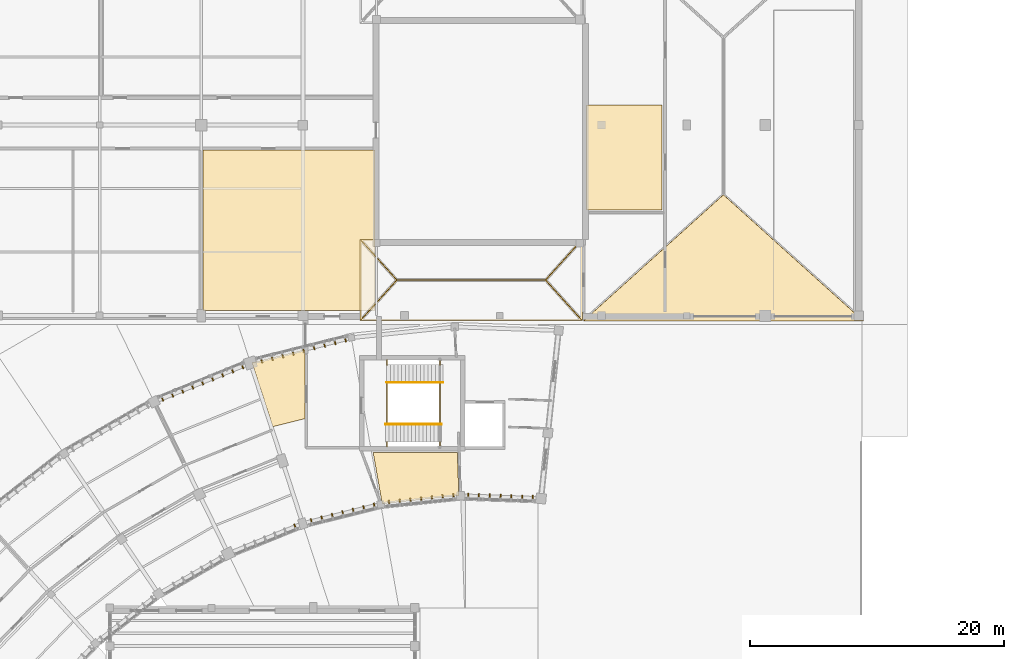
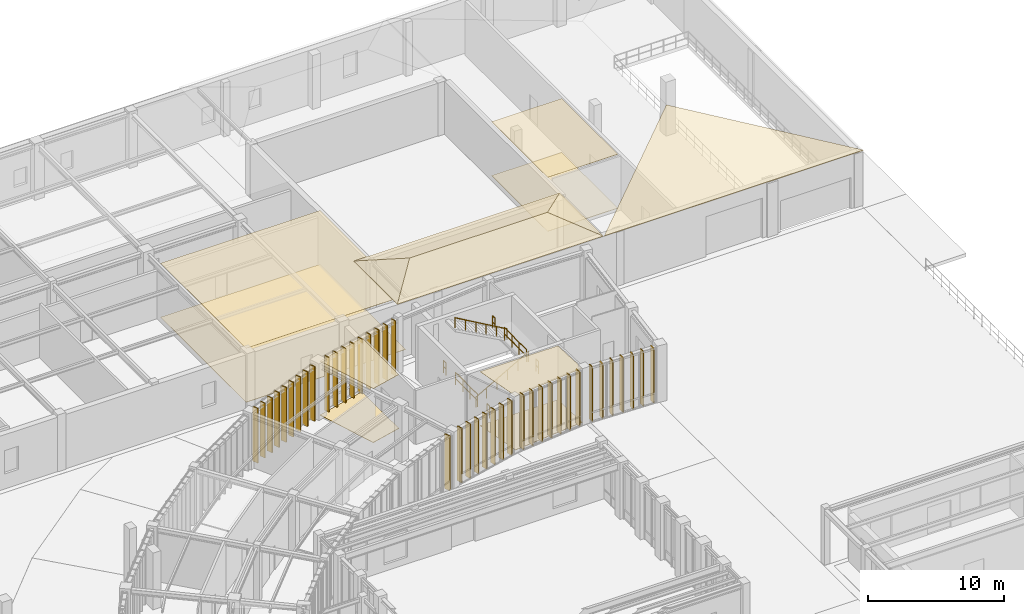
# One storey, part 65 of 68: 53 coverings, 8 railings.
"""IFC4 building model written with IfcOpenShell, lengths in metres."""

from ifc_helpers import new_model, si_unit, direction, frame, origin, origin_2d, place, context, subcontext, project, spatial, polyline, rectangle, circle, outline, extrude, material, layer, layer_set, type_object, element, save


model = new_model("IFC4")

# Units and contexts
model_context = context("Model", 3, precision=1e-05, world=origin(), true_north=direction((0.0, 1.0)))
body_context = subcontext(model_context, "Body", "Model", "MODEL_VIEW")
ifc_project = project(units=[si_unit("LENGTHUNIT", "METRE"), si_unit("AREAUNIT", "SQUARE_METRE"), si_unit("VOLUMEUNIT", "CUBIC_METRE"), si_unit("PLANEANGLEUNIT", "RADIAN"), si_unit("MASSUNIT", "GRAM", prefix="KILO"), si_unit("THERMODYNAMICTEMPERATUREUNIT", "KELVIN"), si_unit("POWERUNIT", "WATT")], contexts=[model_context])

# Site, building, storey
site_placement = place(None, origin())
site = spatial("IfcSite", under=ifc_project, at=site_placement, CompositionType="ELEMENT")
building_placement = place(site_placement, origin())
building = spatial("IfcBuilding", under=site, at=building_placement, Name="Solvatero Civic Police Headquarters", CompositionType="ELEMENT")
storey_placement = place(building_placement, origin())
storey = spatial("IfcBuildingStorey", under=building, at=storey_placement, Name="L00", CompositionType="ELEMENT", Elevation=0.0)

# Coverings
ifc_material_1 = material(Name="Mineral-Fibre Acoustic Tile", Category="gypsum")
ifc_layer_1 = layer(ifc_material_1, 0.02490234375)
ifc_layer_set_1 = layer_set([ifc_layer_1], Name="Mineral-Fibre Acoustic Tile")
covering_type_1 = type_object("IfcCoveringType", Name="COV-CEIL-AC", PredefinedType="CEILING", material=ifc_layer_set_1)
covering_1_placement = place(storey_placement, frame((0.0, 0.0, 4.85498046875)))
element("IfcCovering", 1, at=covering_1_placement, inside=storey, type_object=covering_type_1, Name="Acoustic Ceiling Custody Sergeant Booking and Biometrics Desk", PredefinedType="CEILING", context=body_context, shape_type="SweptSolid", body=[
    extrude(outline(polyline([(85.679931640625, 85.919921875), (72.1201171875, 85.919921875), (72.1201171875, 98.530029296875), (85.679931640625, 98.530029296875), (85.679931640625, 85.919921875)])), origin(), (0.0, 0.0, 1.0), 0.02490234375),
])
covering_2_placement = place(storey_placement, frame((0.0, 0.0, 4.85498046875)))
element("IfcCovering", 2, at=covering_2_placement, inside=storey, type_object=covering_type_1, Name="Acoustic Ceiling Detainee Personal Property Seal Store", PredefinedType="CEILING", context=body_context, shape_type="SweptSolid", body=[
    extrude(outline(polyline([(108.280029296875, 102.080078125), (108.280029296875, 93.820068359375), (102.320068359375, 93.820068359375), (102.320068359375, 102.080078125), (108.280029296875, 102.080078125)])), origin(), (0.0, 0.0, 1.0), 0.02490234375),
])
covering_3_placement = place(storey_placement, frame((0.0, 0.0, 4.85498046875)))
element("IfcCovering", 3, at=covering_3_placement, inside=storey, type_object=covering_type_1, Name="Acoustic Ceiling Public Inquiry Reception Bay 2", PredefinedType="CEILING", context=body_context, shape_type="SweptSolid", body=[
    extrude(outline(polyline([(86.2412109375, 70.693603515625), (85.529296875, 74.72998046875), (92.158203125, 74.72998046875), (92.277099609375, 71.327880859375), (86.2412109375, 70.693603515625)])), origin(), (0.0, 0.0, 1.0), 0.02490234375),
])
covering_4_placement = place(storey_placement, frame((0.0, 0.0, 4.85498046875)))
element("IfcCovering", 4, at=covering_4_placement, inside=storey, type_object=covering_type_1, Name="Acoustic Ceiling Patrol Sector Dispatch Office Bay 3", PredefinedType="CEILING", context=body_context, shape_type="SweptSolid", body=[
    extrude(outline(polyline([(77.633544921875, 76.7587890625), (75.999267578125, 81.789306640625), (80.179931640625, 82.831787109375), (80.179931640625, 77.3935546875), (77.633544921875, 76.7587890625)])), origin(), (0.0, 0.0, 1.0), 0.02490234375),
])
ifc_material_2 = material(Name="Anodized Bronze Aluminium", Category="aluminium")
ifc_layer_2 = layer(ifc_material_2, 0.080078125)
ifc_layer_set_2 = layer_set([ifc_layer_2], Name="Anodized Bronze Aluminium")
covering_type_2 = type_object("IfcCoveringType", Name="COV-FIN-480", PredefinedType="CLADDING", material=ifc_layer_set_2)
for number, where, z_axis, x_axis, name in (
    (5, (98.10009765625, 71.1044921875, -0.02001953125), (0.0, 0.0, 1.0), (-0.999390827019, 0.034899496703, 0.0), "Vertical Brise-Soleil Fin 0001"),
    (6, (97.250732421875, 71.134033203125, -0.02001953125), (0.0, 0.0, 1.0), (-0.999390827019, 0.034899496703, 0.0), "Vertical Brise-Soleil Fin 0002"),
    (7, (96.401123046875, 71.163818359375, -0.02001953125), (0.0, 0.0, 1.0), (-0.999390827019, 0.034899496703, 0.0), "Vertical Brise-Soleil Fin 0003"),
    (8, (95.5517578125, 71.193603515625, -0.02001953125), (0.0, 0.0, 1.0), (-0.999390827019, 0.034899496703, 0.0), "Vertical Brise-Soleil Fin 0004"),
    (9, (94.7021484375, 71.22314453125, -0.02001953125), (0.0, 0.0, 1.0), (-0.999390827019, 0.034899496703, 0.0), "Vertical Brise-Soleil Fin 0005"),
    (10, (93.852783203125, 71.252685546875, -0.02001953125), (0.0, 0.0, 1.0), (-0.999390827019, 0.034899496703, 0.0), "Vertical Brise-Soleil Fin 0006"),
    (11, (93.00341796875, 71.282470703125, -0.02001953125), (0.0, 0.0, 1.0), (-0.999390827019, 0.034899496703, 0.0), "Vertical Brise-Soleil Fin 0007"),
    (12, (91.857421875, 71.243896484375, -0.02001953125), (0.0, 0.0, 1.0), (-0.994523719583, -0.10451110557, 0.0), "Vertical Brise-Soleil Fin 0008"),
    (13, (91.01220703125, 71.155029296875, -0.02001953125), (0.0, 0.0, 1.0), (-0.994523719583, -0.10451110557, 0.0), "Vertical Brise-Soleil Fin 0009"),
    (14, (90.166748046875, 71.066162109375, -0.02001953125), (0.0, 0.0, 1.0), (-0.994523719583, -0.10451110557, 0.0), "Vertical Brise-Soleil Fin 0010"),
    (15, (89.3212890625, 70.977294921875, -0.02001953125), (0.0, 0.0, 1.0), (-0.994523719583, -0.10451110557, 0.0), "Vertical Brise-Soleil Fin 0011"),
    (16, (88.47607421875, 70.888427734375, -0.02001953125), (0.0, 0.0, 1.0), (-0.994523719583, -0.10451110557, 0.0), "Vertical Brise-Soleil Fin 0012"),
    (17, (87.630615234375, 70.7998046875, -0.02001953125), (0.0, 0.0, 1.0), (-0.994523719583, -0.10451110557, 0.0), "Vertical Brise-Soleil Fin 0013"),
    (18, (86.785400390625, 70.710693359375, -0.02001953125), (0.0, 0.0, 1.0), (-0.994523719583, -0.10451110557, 0.0), "Vertical Brise-Soleil Fin 0014"),
    (19, (83.335205078125, 83.6591796875, -0.02001953125), (0.0, 0.0, 1.0), (-0.970295726276, -0.2419218956, 0.0), "Vertical Brise-Soleil Fin 0015"),
    (20, (82.510498046875, 83.45361328125, -0.02001953125), (0.0, 0.0, 1.0), (-0.970295726276, -0.2419218956, 0.0), "Vertical Brise-Soleil Fin 0016"),
    (21, (81.685791015625, 83.248046875, -0.02001953125), (0.0, 0.0, 1.0), (-0.970295726276, -0.2419218956, 0.0), "Vertical Brise-Soleil Fin 0017"),
    (22, (80.861083984375, 83.042236328125, -0.02001953125), (0.0, 0.0, 1.0), (-0.970295726276, -0.2419218956, 0.0), "Vertical Brise-Soleil Fin 0018"),
    (23, (80.036376953125, 82.836669921875, -0.02001953125), (0.0, 0.0, 1.0), (-0.970295726276, -0.2419218956, 0.0), "Vertical Brise-Soleil Fin 0019"),
    (24, (79.211669921875, 82.631103515625, -0.02001953125), (0.0, 0.0, 1.0), (-0.970295726276, -0.2419218956, 0.0), "Vertical Brise-Soleil Fin 0020"),
    (25, (78.38671875, 82.42529296875, -0.02001953125), (0.0, 0.0, 1.0), (-0.970295726276, -0.2419218956, 0.0), "Vertical Brise-Soleil Fin 0021"),
    (26, (77.56201171875, 82.2197265625, -0.02001953125), (0.0, 0.0, 1.0), (-0.970295726276, -0.2419218956, 0.0), "Vertical Brise-Soleil Fin 0022"),
    (27, (76.7373046875, 82.01416015625, -0.02001953125), (0.0, 0.0, 1.0), (-0.970295726276, -0.2419218956, 0.0), "Vertical Brise-Soleil Fin 0023"),
    (28, (85.630126953125, 70.517578125, -0.02001953125), (0.0, 0.0, 1.0), (-0.970295726276, -0.2419218956, 0.0), "Vertical Brise-Soleil Fin 0024"),
    (29, (84.805419921875, 70.31201171875, -0.02001953125), (0.0, 0.0, 1.0), (-0.970295726276, -0.2419218956, 0.0), "Vertical Brise-Soleil Fin 0025"),
    (30, (83.980712890625, 70.106201171875, -0.02001953125), (0.0, 0.0, 1.0), (-0.970295726276, -0.2419218956, 0.0), "Vertical Brise-Soleil Fin 0026"),
    (31, (83.156005859375, 69.900634765625, -0.02001953125), (0.0, 0.0, 1.0), (-0.970295726276, -0.2419218956, 0.0), "Vertical Brise-Soleil Fin 0027"),
    (32, (82.3310546875, 69.695068359375, -0.02001953125), (0.0, 0.0, 1.0), (-0.970295726276, -0.2419218956, 0.0), "Vertical Brise-Soleil Fin 0028"),
    (33, (81.50634765625, 69.489501953125, -0.02001953125), (0.0, 0.0, 1.0), (-0.970295726276, -0.2419218956, 0.0), "Vertical Brise-Soleil Fin 0029"),
    (34, (80.681640625, 69.28369140625, -0.02001953125), (0.0, 0.0, 1.0), (-0.970295726276, -0.2419218956, 0.0), "Vertical Brise-Soleil Fin 0030"),
    (35, (75.22900390625, 81.5390625, -0.02001953125), (0.0, 0.0, 1.0), (-0.927183854567, -0.374606593416, 0.0), "Vertical Brise-Soleil Fin 0031"),
    (36, (74.44091796875, 81.220703125, -0.02001953125), (0.0, 0.0, 1.0), (-0.927183854567, -0.374606593416, 0.0), "Vertical Brise-Soleil Fin 0032"),
    (37, (73.65283203125, 80.902099609375, -0.02001953125), (0.0, 0.0, 1.0), (-0.927183854567, -0.374606593416, 0.0), "Vertical Brise-Soleil Fin 0033"),
    (38, (72.86474609375, 80.583740234375, -0.02001953125), (0.0, 0.0, 1.0), (-0.927183854567, -0.374606593416, 0.0), "Vertical Brise-Soleil Fin 0034"),
    (39, (72.07666015625, 80.265380859375, -0.02001953125), (0.0, 0.0, 1.0), (-0.927183854567, -0.374606593416, 0.0), "Vertical Brise-Soleil Fin 0035"),
    (40, (71.28857421875, 79.947021484375, -0.02001953125), (0.0, 0.0, 1.0), (-0.927183854567, -0.374606593416, 0.0), "Vertical Brise-Soleil Fin 0036"),
    (41, (70.50048828125, 79.628662109375, -0.02001953125), (0.0, 0.0, 1.0), (-0.927183854567, -0.374606593416, 0.0), "Vertical Brise-Soleil Fin 0037"),
    (42, (69.71240234375, 79.310302734375, -0.02001953125), (0.0, 0.0, 1.0), (-0.927183854567, -0.374606593416, 0.0), "Vertical Brise-Soleil Fin 0038"),
    (43, (68.92431640625, 78.99169921875, -0.02001953125), (0.0, 0.0, 1.0), (-0.927183854567, -0.374606593416, 0.0), "Vertical Brise-Soleil Fin 0039"),
    (44, (79.39990234375, 68.872802734375, -0.02001953125), (0.0, 0.0, 1.0), (-0.927183854567, -0.374606593416, 0.0), "Vertical Brise-Soleil Fin 0040"),
):
    element("IfcCovering", number, at=place(storey_placement, frame(where, z_axis=z_axis, x_axis=x_axis)), inside=storey, type_object=covering_type_2, Name=name, PredefinedType="CLADDING", context=body_context, shape_type="SweptSolid", body=[
        extrude(rectangle(XDim=0.080078125, YDim=0.47998046875, at=origin_2d()), origin(), (0.0, 0.0, 1.0), 4.919921875),
    ])
ifc_material_3 = material(Name="Venetian Terrazzo Stone", Category="masonry")
ifc_layer_3 = layer(ifc_material_3, 0.034912109375)
ifc_layer_set_3 = layer_set([ifc_layer_3], Name="Venetian Terrazzo Stone")
covering_type_3 = type_object("IfcCoveringType", Name="COV-FLR-TER", PredefinedType="FLOORING", material=ifc_layer_set_3)
covering_5_placement = place(storey_placement, origin())
element("IfcCovering", 45, at=covering_5_placement, inside=storey, type_object=covering_type_3, Name="Flooring Custody Sergeant Booking and Biometrics Desk", PredefinedType="FLOORING", context=body_context, shape_type="SweptSolid", body=[
    extrude(outline(polyline([(85.679931640625, 85.919921875), (72.1201171875, 85.919921875), (72.1201171875, 98.530029296875), (85.679931640625, 98.530029296875), (85.679931640625, 85.919921875)])), origin(), (0.0, 0.0, 1.0), 0.034912109375),
])
covering_6_placement = place(storey_placement, origin())
element("IfcCovering", 46, at=covering_6_placement, inside=storey, type_object=covering_type_3, Name="Flooring Detainee Personal Property Seal Store", PredefinedType="FLOORING", context=body_context, shape_type="SweptSolid", body=[
    extrude(outline(polyline([(108.280029296875, 102.080078125), (108.280029296875, 93.820068359375), (102.320068359375, 93.820068359375), (102.320068359375, 102.080078125), (108.280029296875, 102.080078125)])), origin(), (0.0, 0.0, 1.0), 0.034912109375),
])
covering_7_placement = place(storey_placement, origin())
element("IfcCovering", 47, at=covering_7_placement, inside=storey, type_object=covering_type_3, Name="Flooring Public Inquiry Reception Bay 2", PredefinedType="FLOORING", context=body_context, shape_type="SweptSolid", body=[
    extrude(outline(polyline([(86.2412109375, 70.693603515625), (85.529296875, 74.72998046875), (92.158203125, 74.72998046875), (92.277099609375, 71.327880859375), (86.2412109375, 70.693603515625)])), origin(), (0.0, 0.0, 1.0), 0.034912109375),
])
covering_8_placement = place(storey_placement, origin())
element("IfcCovering", 48, at=covering_8_placement, inside=storey, type_object=covering_type_3, Name="Flooring Patrol Sector Dispatch Office Bay 3", PredefinedType="FLOORING", context=body_context, shape_type="SweptSolid", body=[
    extrude(outline(polyline([(77.633544921875, 76.7587890625), (75.999267578125, 81.789306640625), (80.179931640625, 82.831787109375), (80.179931640625, 77.3935546875), (77.633544921875, 76.7587890625)])), origin(), (0.0, 0.0, 1.0), 0.034912109375),
])
ifc_material_4 = material(Name="Lombard Terracotta Clay Tile", Category="masonry")
ifc_layer_4 = layer(ifc_material_4, 0.06005859375)
ifc_layer_set_4 = layer_set([ifc_layer_4], Name="Lombard Terracotta Clay Tile")
covering_type_4 = type_object("IfcCoveringType", Name="COV-RF-TILE", PredefinedType="ROOFING", material=ifc_layer_set_4)
covering_9_placement = place(storey_placement, frame((102.080078125, 85.080078125, 5.010009765625), z_axis=(0.0, -0.18792209567, 0.982183936928), x_axis=(1.0, 0.0, 0.0)))
element("IfcCovering", 49, at=covering_9_placement, inside=storey, type_object=covering_type_4, Name="SLYP Lombard Terracotta Hipped Roof Covering S", PredefinedType="ROOFING", context=body_context, shape_type="SweptSolid", body=[
    extrude(outline(polyline([(0.0, 0.0), (22.0400390625, 0.0), (11.02001953125, 10.110052982218848), (0.0, 0.0)])), origin(), (0.0, 0.0, -1.0), 0.06005859375),
])
for number, where, z_axis, x_axis, name in (
    (50, (84.5, 85.10009765625, 5.010009765625), (0.0, -0.351115612802, 0.936332113326), (1.0, 0.0, 0.0), "CUSYS Lombard Terracotta Hipped Roof Covering S"),
    (51, (102.0, 91.5, 5.010009765625), (0.0, 0.351115612802, 0.936332113326), (-1.0, 0.0, 0.0), "CUSYS Lombard Terracotta Hipped Roof Covering N"),
):
    element("IfcCovering", number, at=place(storey_placement, frame(where, z_axis=z_axis, x_axis=x_axis)), inside=storey, type_object=covering_type_4, Name=name, PredefinedType="ROOFING", context=body_context, shape_type="SweptSolid", body=[
        extrude(outline(polyline([(0.0, 0.0), (17.5, 0.0), (14.610107421875, 3.41753863434905), (2.889892578125, 3.41753863434905), (0.0, 0.0)])), origin(), (0.0, 0.0, -1.0), 0.06005859375),
    ])
for number, where, z_axis, x_axis, name in (
    (52, (84.5, 91.5, 5.010009765625), (-0.383479384938, 0.0, 0.92354943632), (0.0, -1.0, 0.0), "CUSYS Lombard Terracotta Hipped Roof Covering W"),
    (53, (102.0, 85.10009765625, 5.010009765625), (0.383479384938, 0.0, 0.92354943632), (0.0, 1.0, 0.0), "CUSYS Lombard Terracotta Hipped Roof Covering E"),
):
    element("IfcCovering", number, at=place(storey_placement, frame(where, z_axis=z_axis, x_axis=x_axis)), inside=storey, type_object=covering_type_4, Name=name, PredefinedType="ROOFING", context=body_context, shape_type="SweptSolid", body=[
        extrude(outline(polyline([(0.0, 0.0), (6.39990234375, 0.0), (3.199951171875, 3.129115198899865), (0.0, 0.0)])), origin(), (0.0, 0.0, -1.0), 0.06005859375),
    ])

# Railings
ifc_material_5 = material(Name="Painted Galvanized Steel", Category="steel")
railing_type_1 = type_object("IfcRailingType", Name="RL-GRD-110", PredefinedType="GUARDRAIL", material=ifc_material_5)
railing_1_placement = place(storey_placement, frame((86.6298828125, 76.97998046875, 0.0)))
element("IfcRailing", 54, at=railing_1_placement, inside=storey, type_object=railing_type_1, Name="ST-C3 L00 Floor Well Guardrail", PredefinedType="GUARDRAIL", context=body_context, shape_type="SweptSolid", body=[
    extrude(circle(Radius=0.02392578125, at=origin_2d()), frame((0.0, 0.0, 1.09619140625), z_axis=(0.0, 1.0, 0.0), x_axis=(-1.0, 0.0, 0.0)), (0.0, 0.0, 1.0), 3.239990234375),
    extrude(circle(Radius=0.02392578125, at=origin_2d()), frame((0.0, 0.0, 0.5361328125), z_axis=(0.0, 1.0, 0.0), x_axis=(-1.0, 0.0, 0.0)), (0.0, 0.0, 1.0), 3.239990234375),
    extrude(circle(Radius=0.02099609375, at=origin_2d()), origin(), (0.0, 0.0, 1.0), 1.072021484375),
    extrude(circle(Radius=0.02099609375, at=origin_2d()), frame((0.0, 1.080078125, 0.0)), (0.0, 0.0, 1.0), 1.072021484375),
    extrude(circle(Radius=0.02099609375, at=origin_2d()), frame((0.0, 2.159912109375, 0.0)), (0.0, 0.0, 1.0), 1.072021484375),
    extrude(circle(Radius=0.02099609375, at=origin_2d()), frame((0.0, 3.239990234375, 0.0)), (0.0, 0.0, 1.0), 1.072021484375),
])
for number, where, name in (
    (55, (86.6298828125, 75.2099609375, 0.0), "ST-C3 L00 Floor Well South Slot Guardrail"),
    (56, (86.6298828125, 81.6298828125, 0.0), "ST-C3 L00 Floor Well North Slot Guardrail"),
):
    element("IfcRailing", number, at=place(storey_placement, frame(where)), inside=storey, type_object=railing_type_1, Name=name, PredefinedType="GUARDRAIL", context=body_context, shape_type="SweptSolid", body=[
        extrude(circle(Radius=0.02392578125, at=origin_2d()), frame((0.0, 0.0, 1.09619140625), z_axis=(0.0, 1.0, 0.0), x_axis=(-1.0, 0.0, 0.0)), (0.0, 0.0, 1.0), 0.360107421875),
        extrude(circle(Radius=0.02392578125, at=origin_2d()), frame((0.0, 0.0, 0.5361328125), z_axis=(0.0, 1.0, 0.0), x_axis=(-1.0, 0.0, 0.0)), (0.0, 0.0, 1.0), 0.360107421875),
        extrude(circle(Radius=0.02099609375, at=origin_2d()), origin(), (0.0, 0.0, 1.0), 1.072021484375),
        extrude(circle(Radius=0.02099609375, at=origin_2d()), frame((0.0, 0.360107421875, 0.0)), (0.0, 0.0, 1.0), 1.072021484375),
    ])
railing_2_placement = place(storey_placement, frame((90.794921875, 76.97998046875, 2.550048828125)))
element("IfcRailing", 57, at=railing_2_placement, inside=storey, type_object=railing_type_1, Name="ST-C3 L00 Half-Landing Well Guardrail", PredefinedType="GUARDRAIL", context=body_context, shape_type="SweptSolid", body=[
    extrude(circle(Radius=0.02392578125, at=origin_2d()), frame((0.0, 0.0, 1.09619140625), z_axis=(0.0, 1.0, 0.0), x_axis=(-1.0, 0.0, 0.0)), (0.0, 0.0, 1.0), 3.239990234375),
    extrude(circle(Radius=0.02392578125, at=origin_2d()), frame((0.0, 0.0, 0.5361328125), z_axis=(0.0, 1.0, 0.0), x_axis=(-1.0, 0.0, 0.0)), (0.0, 0.0, 1.0), 3.239990234375),
    extrude(circle(Radius=0.02099609375, at=origin_2d()), origin(), (0.0, 0.0, 1.0), 1.072021484375),
    extrude(circle(Radius=0.02099609375, at=origin_2d()), frame((0.0, 1.080078125, 0.0)), (0.0, 0.0, 1.0), 1.072021484375),
    extrude(circle(Radius=0.02099609375, at=origin_2d()), frame((0.0, 2.159912109375, 0.0)), (0.0, 0.0, 1.0), 1.072021484375),
    extrude(circle(Radius=0.02099609375, at=origin_2d()), frame((0.0, 3.239990234375, 0.0)), (0.0, 0.0, 1.0), 1.072021484375),
])
for number, where, name in (
    (58, (90.794921875, 75.2099609375, 2.550048828125), "ST-C3 L00 Half-Landing South Slot Guardrail"),
    (59, (90.794921875, 81.6298828125, 2.550048828125), "ST-C3 L00 Half-Landing North Slot Guardrail"),
):
    element("IfcRailing", number, at=place(storey_placement, frame(where)), inside=storey, type_object=railing_type_1, Name=name, PredefinedType="GUARDRAIL", context=body_context, shape_type="SweptSolid", body=[
        extrude(circle(Radius=0.02392578125, at=origin_2d()), frame((0.0, 0.0, 1.09619140625), z_axis=(0.0, 1.0, 0.0), x_axis=(-1.0, 0.0, 0.0)), (0.0, 0.0, 1.0), 0.360107421875),
        extrude(circle(Radius=0.02392578125, at=origin_2d()), frame((0.0, 0.0, 0.5361328125), z_axis=(0.0, 1.0, 0.0), x_axis=(-1.0, 0.0, 0.0)), (0.0, 0.0, 1.0), 0.360107421875),
        extrude(circle(Radius=0.02099609375, at=origin_2d()), origin(), (0.0, 0.0, 1.0), 1.072021484375),
        extrude(circle(Radius=0.02099609375, at=origin_2d()), frame((0.0, 0.360107421875, 0.0)), (0.0, 0.0, 1.0), 1.072021484375),
    ])
ifc_material_6 = material(Name="Brushed Stainless Steel", Category="steel")
railing_type_2 = type_object("IfcRailingType", Name="RL-HND-092", PredefinedType="HANDRAIL", material=ifc_material_6)
railing_3_placement = place(storey_placement, frame((86.5, 76.949951171875, 0.0)))
element("IfcRailing", 60, at=railing_3_placement, inside=storey, type_object=railing_type_2, Name="ST-C3 L00 Flight 1 Handrail", PredefinedType="HANDRAIL", context=body_context, shape_type="SweptSolid", body=[
    extrude(circle(Radius=0.02392578125, at=origin_2d()), frame((0.0, 0.0, 0.89599609375), z_axis=(0.866428212428, 0.0, 0.499301665038), x_axis=(0.0, 1.0, 0.0)), (0.0, 0.0, 1.0), 5.107177734375),
    extrude(circle(Radius=0.02099609375, at=origin_2d()), origin(), (0.0, 0.0, 1.0), 0.871826171875),
    extrude(circle(Radius=0.02099609375, at=origin_2d()), frame((0.885009765625, 0.0, 0.510009765625)), (0.0, 0.0, 1.0), 0.871826171875),
    extrude(circle(Radius=0.02099609375, at=origin_2d()), frame((1.77001953125, 0.0, 1.02001953125)), (0.0, 0.0, 1.0), 0.871826171875),
    extrude(circle(Radius=0.02099609375, at=origin_2d()), frame((2.655029296875, 0.0, 1.530029296875)), (0.0, 0.0, 1.0), 0.871826171875),
    extrude(circle(Radius=0.02099609375, at=origin_2d()), frame((3.5400390625, 0.0, 2.0400390625)), (0.0, 0.0, 1.0), 0.871826171875),
    extrude(circle(Radius=0.02099609375, at=origin_2d()), frame((4.425048828125, 0.0, 2.550048828125)), (0.0, 0.0, 1.0), 0.871826171875),
])
railing_4_placement = place(storey_placement, frame((91.02490234375, 80.25, 2.550048828125)))
element("IfcRailing", 61, at=railing_4_placement, inside=storey, type_object=railing_type_2, Name="ST-C3 L00 Flight 2 Handrail", PredefinedType="HANDRAIL", context=body_context, shape_type="SweptSolid", body=[
    extrude(circle(Radius=0.02392578125, at=origin_2d()), frame((0.0, 0.0, 0.89599609375), z_axis=(-0.866416294312, 0.0, 0.499322345735), x_axis=(0.0, -1.0, 0.0)), (0.0, 0.0, 1.0), 5.10693359375),
    extrude(circle(Radius=0.02099609375, at=origin_2d()), origin(), (0.0, 0.0, 1.0), 0.871826171875),
    extrude(circle(Radius=0.02099609375, at=origin_2d()), frame((-0.885009765625, 0.0, 0.510009765625)), (0.0, 0.0, 1.0), 0.871826171875),
    extrude(circle(Radius=0.02099609375, at=origin_2d()), frame((-1.77001953125, 0.0, 1.02001953125)), (0.0, 0.0, 1.0), 0.871826171875),
    extrude(circle(Radius=0.02099609375, at=origin_2d()), frame((-2.65478515625, 0.0, 1.530029296875)), (0.0, 0.0, 1.0), 0.871826171875),
    extrude(circle(Radius=0.02099609375, at=origin_2d()), frame((-3.539794921875, 0.0, 2.0400390625)), (0.0, 0.0, 1.0), 0.871826171875),
    extrude(circle(Radius=0.02099609375, at=origin_2d()), frame((-4.4248046875, 0.0, 2.550048828125)), (0.0, 0.0, 1.0), 0.871826171875),
])

save(model, "model.ifc")
